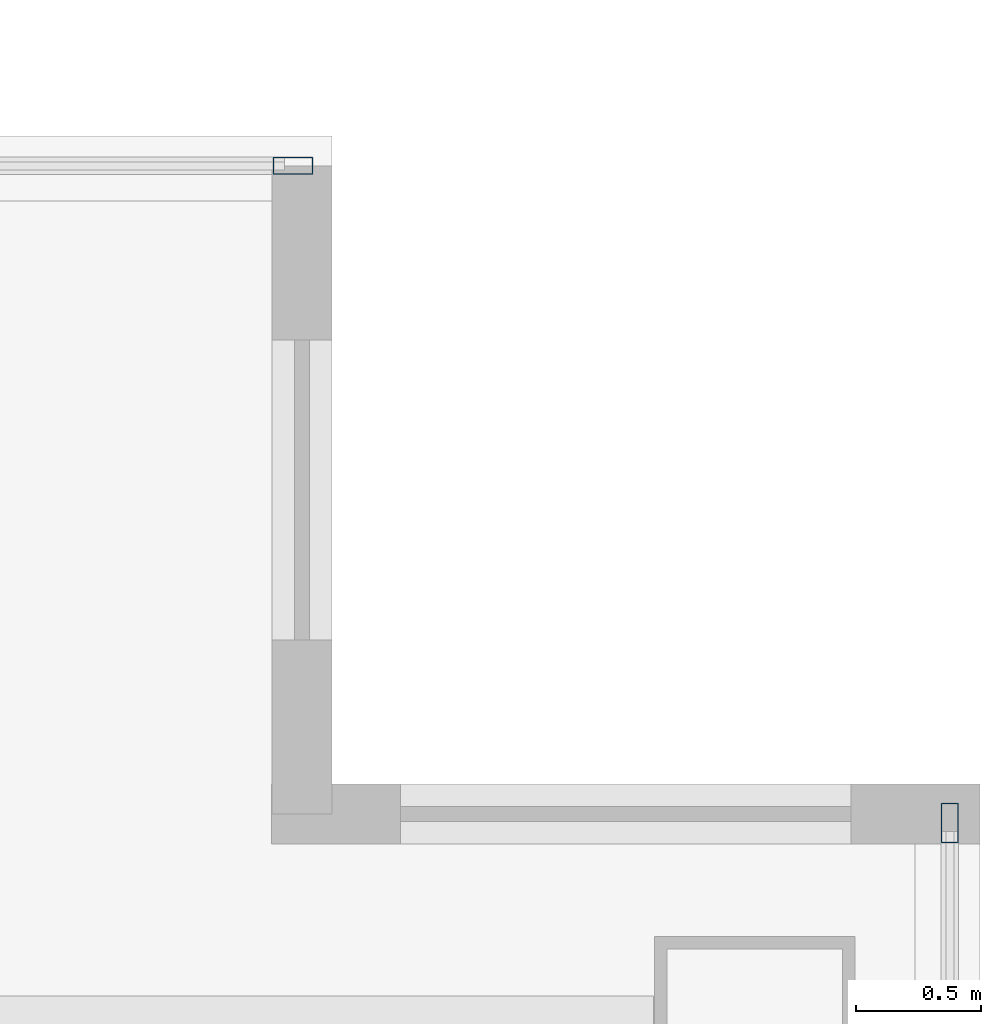
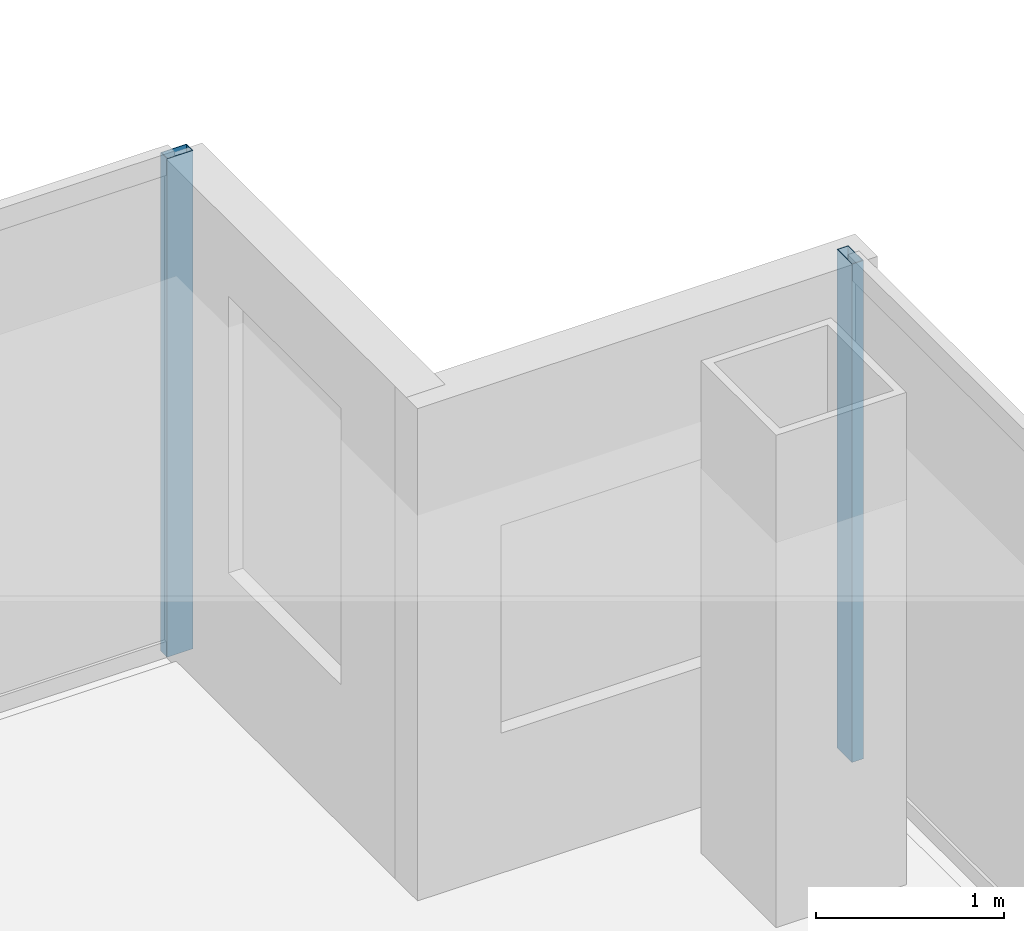
# One storey, part 16 of 23: 2 members, 2 elements without a shape of their own.
"""IFC4 building model written with IfcOpenShell, lengths in metres."""

from ifc_helpers import new_model, si_unit, direction, frame, origin, origin_2d, place, context, subcontext, project, spatial, hollow_rectangle, extrude, material, material_profile, profile_set, type_object, element, aggregate, save


model = new_model("IFC4")

# Units and contexts
model_context = context("Model", 3, precision=1e-05, world=origin(), true_north=direction((0.0, 1.0)))
body_context = subcontext(model_context, "Body", "Model", "MODEL_VIEW")
ifc_project = project(units=[si_unit("LENGTHUNIT", "METRE"), si_unit("AREAUNIT", "SQUARE_METRE"), si_unit("VOLUMEUNIT", "CUBIC_METRE"), si_unit("PLANEANGLEUNIT", "RADIAN"), si_unit("MASSUNIT", "GRAM", prefix="KILO")], contexts=[model_context])

# Site, building, storey
site_placement = place(None, origin())
site = spatial("IfcSite", under=ifc_project, at=site_placement, CompositionType="ELEMENT")
building_placement = place(site_placement, origin())
building = spatial("IfcBuilding", under=site, at=building_placement, Name="Cobrela Telecom Tower", CompositionType="ELEMENT")
storey_placement = place(building_placement, frame((0.0, 0.0, 197.75)))
storey = spatial("IfcBuildingStorey", under=building, at=storey_placement, Name="L50", CompositionType="ELEMENT", Elevation=197.75)

# Curtain wall, member
ifc_material = material(Name="Anodized Bronze Aluminium 6063-T6", Category="aluminium")
curtain_wall_type = type_object("IfcCurtainWallType", Name="CW-SYS-OFF-LO", PredefinedType="USERDEFINED", material=ifc_material)
curtain_wall_1_placement = place(storey_placement, origin())
curtain_wall_1 = element("IfcCurtainWall", 1, at=curtain_wall_1_placement, inside=storey, type_object=curtain_wall_type, Name="L50 Unitised Bronze Curtain Wall 11", ObjectType="UNITISED CURTAIN WALL", PredefinedType="USERDEFINED")
ifc_material_profile = material_profile(ifc_material, hollow_rectangle(XDim=0.070068359375, YDim=0.159912109375, WallThickness=0.00390625, at=origin_2d()), Name="ALU 70x160x4")
ifc_profile_set = profile_set([ifc_material_profile], Name="Anodized Bronze Aluminium 6063-T6")
member_type = type_object("IfcMemberType", Name="CW-SYS-OFF-LO-MUL", PredefinedType="MULLION", material=ifc_profile_set)
member_1_placement = place(storey_placement, frame((41.2548828125, 25.080078125, 0.0), z_axis=(0.0, 0.0, 1.0), x_axis=(0.0, 1.0, 0.0)))
member_1 = element("IfcMember", 2, at=member_1_placement, type_object=member_type, Name="CW-OFF-LO mullion 3", PredefinedType="MULLION", context=body_context, shape_type="SweptSolid", body=[
    extrude(hollow_rectangle(XDim=0.070068359375, YDim=0.159912109375, WallThickness=0.00390625, at=origin_2d()), origin(), (0.0, 0.0, 1.0), 3.239990234375),
])
aggregate(curtain_wall_1, [member_1])

curtain_wall_2_placement = place(storey_placement, origin())
curtain_wall_2 = element("IfcCurtainWall", 3, at=curtain_wall_2_placement, inside=storey, type_object=curtain_wall_type, Name="L50 Unitised Bronze Curtain Wall 14", ObjectType="UNITISED CURTAIN WALL", PredefinedType="USERDEFINED")
member_2_placement = place(storey_placement, frame((43.8798828125, 22.455078125, 0.0), z_axis=(0.0, 0.0, 1.0), x_axis=(1.0, 0.0, 0.0)))
member_2 = element("IfcMember", 4, at=member_2_placement, type_object=member_type, Name="CW-OFF-LO mullion 1", PredefinedType="MULLION", context=body_context, shape_type="SweptSolid", body=[
    extrude(hollow_rectangle(XDim=0.070068359375, YDim=0.159912109375, WallThickness=0.00390625, at=origin_2d()), origin(), (0.0, 0.0, 1.0), 3.239990234375),
])
aggregate(curtain_wall_2, [member_2])

save(model, "model.ifc")
